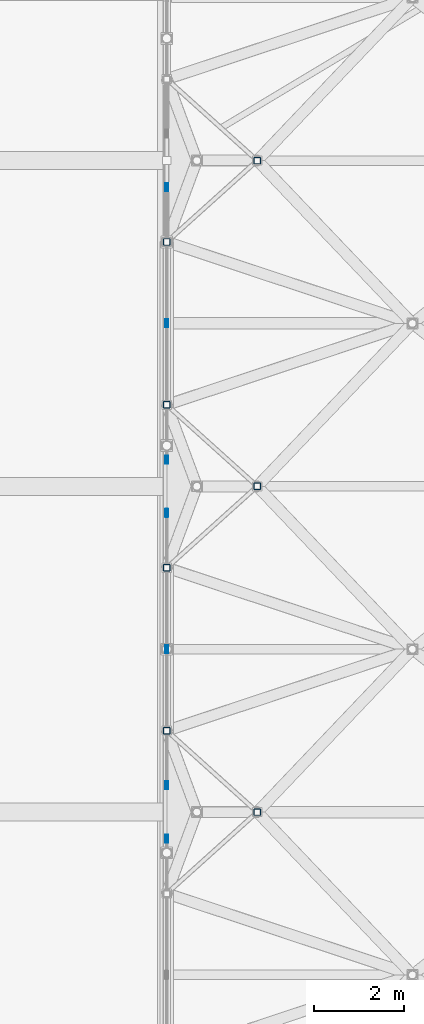
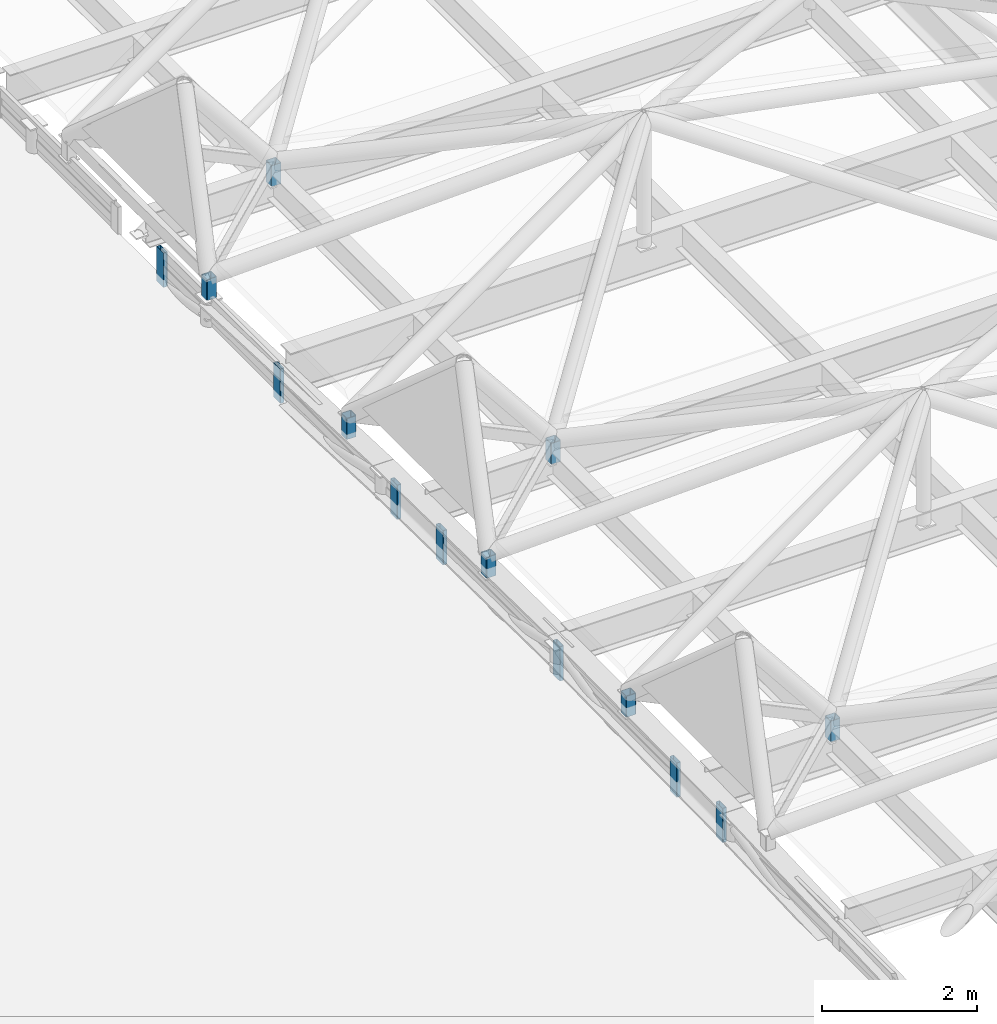
# One storey, part 197 of 239: 14 members, 3 elements without a shape of their own.
"""IFC4 building model written with IfcOpenShell, lengths in metres."""

from ifc_helpers import new_model, si_unit, direction, frame, origin, origin_2d, place, context, subcontext, project, spatial, hollow_rectangle, extrude, material, layer, layer_set, material_profile, profile_set, type_object, element, aggregate, save


model = new_model("IFC4")

# Units and contexts
model_context = context("Model", 3, precision=1e-05, world=origin(), true_north=direction((0.0, 1.0)))
body_context = subcontext(model_context, "Body", "Model", "MODEL_VIEW")
ifc_project = project(units=[si_unit("LENGTHUNIT", "METRE"), si_unit("AREAUNIT", "SQUARE_METRE"), si_unit("VOLUMEUNIT", "CUBIC_METRE"), si_unit("PLANEANGLEUNIT", "RADIAN"), si_unit("MASSUNIT", "GRAM", prefix="KILO")], contexts=[model_context])

# Site, building, storey
site_placement = place(None, origin())
site = spatial("IfcSite", under=ifc_project, at=site_placement, CompositionType="ELEMENT")
building_placement = place(site_placement, origin())
building = spatial("IfcBuilding", under=site, at=building_placement, Name="Dunvalen Ferry Terminal", CompositionType="ELEMENT")
storey_placement = place(building_placement, frame((0.0, 0.0, 9.840087890625)))
storey = spatial("IfcBuildingStorey", under=building, at=storey_placement, Name="L02", CompositionType="ELEMENT", Elevation=9.840087890625)

# Curtain wall, member
ifc_material_1 = material(Name="Anodised marine aluminium and solar-control glazing", Category="aluminium")
ifc_layer = layer(ifc_material_1, 0.219970703125, Name="Anodised marine aluminium and solar-control glazing")
ifc_layer_set = layer_set([ifc_layer], Name="Anodised marine aluminium and solar-control glazing")
curtain_wall_type = type_object("IfcCurtainWallType", Name="ENV-CW-SYS-04", PredefinedType="NOTDEFINED", material=ifc_layer_set)
curtain_wall_1_placement = place(storey_placement, origin())
curtain_wall_1 = element("IfcCurtainWall", 1, at=curtain_wall_1_placement, inside=storey, type_object=curtain_wall_type, Name="L02 Curtain Wall CW-V1W-CLR-02", PredefinedType="NOTDEFINED")
ifc_material_2 = material(Name="Anodised marine aluminium EN AW-6063 T6", Category="aluminium")
ifc_material_profile_1 = material_profile(ifc_material_2, hollow_rectangle(XDim=0.06005859375, YDim=0.179931640625, WallThickness=0.00341796875, InnerFilletRadius=0.00341796875, OuterFilletRadius=0.007080078125, at=origin_2d()), Name="Anodised marine aluminium EN AW-6063 T6")
ifc_profile_set_1 = profile_set([ifc_material_profile_1], Name="Anodised marine aluminium EN AW-6063 T6")
member_type_1 = type_object("IfcMemberType", Name="ENV-CW-MUL-2", PredefinedType="MULLION", material=ifc_profile_set_1)
member_1_placement = place(storey_placement, frame((12.0, 64.2099609375, 0.239990234375), z_axis=(0.0, 0.0, 1.0), x_axis=(-1.0, 0.0, 0.0)))
member_1 = element("IfcMember", 2, at=member_1_placement, type_object=member_type_1, Name="CW-04 mullion 3", PredefinedType="MULLION", context=body_context, shape_type="SweptSolid", body=[
    extrude(hollow_rectangle(XDim=0.06005859375, YDim=0.179931640625, WallThickness=0.00341796875, InnerFilletRadius=0.00341796875, OuterFilletRadius=0.007080078125, at=origin_2d()), origin(), (0.0, 0.0, 1.0), 0.5400390625),
])
aggregate(curtain_wall_1, [member_1])

# Curtain wall, members
curtain_wall_2_placement = place(storey_placement, origin())
curtain_wall_2 = element("IfcCurtainWall", 3, at=curtain_wall_2_placement, inside=storey, type_object=curtain_wall_type, Name="L02 Curtain Wall CW-V1W-CLR-03", PredefinedType="NOTDEFINED")
member_2_placement = place(storey_placement, frame((12.0, 65.389892578125, 0.239990234375), z_axis=(0.0, 0.0, 1.0), x_axis=(-1.0, 0.0, 0.0)))
member_2 = element("IfcMember", 4, at=member_2_placement, type_object=member_type_1, Name="CW-04 mullion 1", PredefinedType="MULLION", context=body_context, shape_type="SweptSolid", body=[
    extrude(hollow_rectangle(XDim=0.06005859375, YDim=0.179931640625, WallThickness=0.00341796875, InnerFilletRadius=0.00341796875, OuterFilletRadius=0.007080078125, at=origin_2d()), origin(), (0.0, 0.0, 1.0), 0.5400390625),
])
member_3_placement = place(storey_placement, frame((12.0, 68.39990234375, 0.239990234375), z_axis=(0.0, 0.0, 1.0), x_axis=(-1.0, 0.0, 0.0)))
member_3 = element("IfcMember", 5, at=member_3_placement, type_object=member_type_1, Name="CW-04 mullion 2", PredefinedType="MULLION", context=body_context, shape_type="SweptSolid", body=[
    extrude(hollow_rectangle(XDim=0.06005859375, YDim=0.179931640625, WallThickness=0.00341796875, InnerFilletRadius=0.00341796875, OuterFilletRadius=0.007080078125, at=origin_2d()), origin(), (0.0, 0.0, 1.0), 0.5400390625),
])
member_4_placement = place(storey_placement, frame((12.0, 71.409912109375, 0.239990234375), z_axis=(0.0, 0.0, 1.0), x_axis=(-1.0, 0.0, 0.0)))
member_4 = element("IfcMember", 6, at=member_4_placement, type_object=member_type_1, Name="CW-04 mullion 3", PredefinedType="MULLION", context=body_context, shape_type="SweptSolid", body=[
    extrude(hollow_rectangle(XDim=0.06005859375, YDim=0.179931640625, WallThickness=0.00341796875, InnerFilletRadius=0.00341796875, OuterFilletRadius=0.007080078125, at=origin_2d()), origin(), (0.0, 0.0, 1.0), 0.5400390625),
])
aggregate(curtain_wall_2, [member_2, member_3, member_4])

curtain_wall_3_placement = place(storey_placement, origin())
curtain_wall_3 = element("IfcCurtainWall", 7, at=curtain_wall_3_placement, inside=storey, type_object=curtain_wall_type, Name="L02 Curtain Wall CW-V1W-CLR-04", PredefinedType="NOTDEFINED")
member_5_placement = place(storey_placement, frame((12.0, 72.590087890625, 0.239990234375), z_axis=(0.0, 0.0, 1.0), x_axis=(-1.0, 0.0, 0.0)))
member_5 = element("IfcMember", 8, at=member_5_placement, type_object=member_type_1, Name="CW-04 mullion 1", PredefinedType="MULLION", context=body_context, shape_type="SweptSolid", body=[
    extrude(hollow_rectangle(XDim=0.06005859375, YDim=0.179931640625, WallThickness=0.00341796875, InnerFilletRadius=0.00341796875, OuterFilletRadius=0.007080078125, at=origin_2d()), origin(), (0.0, 0.0, 1.0), 0.5400390625),
])
member_6_placement = place(storey_placement, frame((12.0, 75.60009765625, 0.239990234375), z_axis=(0.0, 0.0, 1.0), x_axis=(-1.0, 0.0, 0.0)))
member_6 = element("IfcMember", 9, at=member_6_placement, type_object=member_type_1, Name="CW-04 mullion 2", PredefinedType="MULLION", context=body_context, shape_type="SweptSolid", body=[
    extrude(hollow_rectangle(XDim=0.06005859375, YDim=0.179931640625, WallThickness=0.00341796875, InnerFilletRadius=0.00341796875, OuterFilletRadius=0.007080078125, at=origin_2d()), origin(), (0.0, 0.0, 1.0), 0.5400390625),
])
member_7_placement = place(storey_placement, frame((12.0, 78.610107421875, 0.239990234375), z_axis=(0.0, 0.0, 1.0), x_axis=(-1.0, 0.0, 0.0)))
member_7 = element("IfcMember", 10, at=member_7_placement, type_object=member_type_1, Name="CW-04 mullion 3", PredefinedType="MULLION", context=body_context, shape_type="SweptSolid", body=[
    extrude(hollow_rectangle(XDim=0.06005859375, YDim=0.179931640625, WallThickness=0.00341796875, InnerFilletRadius=0.00341796875, OuterFilletRadius=0.007080078125, at=origin_2d()), origin(), (0.0, 0.0, 1.0), 0.5400390625),
])
aggregate(curtain_wall_3, [member_5, member_6, member_7])

# Members
ifc_material_3 = material(Name="Steel S355", Category="steel")
ifc_material_profile_2 = material_profile(ifc_material_3, hollow_rectangle(XDim=0.14990234375, YDim=0.14990234375, WallThickness=0.008056640625, InnerFilletRadius=0.008056640625, OuterFilletRadius=0.01611328125, at=origin_2d()), Name="Steel S355")
ifc_profile_set_2 = profile_set([ifc_material_profile_2], Name="Steel S355")
member_type_2 = type_object("IfcMemberType", Name="STR-MB-SHS150", PredefinedType="BRACE", material=ifc_profile_set_2)
for number, where, z_axis, x_axis, name in (
    (11, (14.0, 64.800048828125, 0.77001953125), (0.0, 0.0, 1.0), (1.0, 0.0, 0.0), "HEX-03 Rim Pedestal Strut 2"),
    (12, (12.0, 66.60009765625, 0.77001953125), (0.0, 0.0, 1.0), (1.0, 0.0, 0.0), "HEX-03 Rim Pedestal Strut 3"),
    (13, (12.0, 70.199951171875, 0.77001953125), (0.0, 0.0, 1.0), (1.0, 0.0, 0.0), "HEX-04 Rim Pedestal Strut 1"),
    (14, (14.0, 72.0, 0.77001953125), (0.0, 0.0, 1.0), (1.0, 0.0, 0.0), "HEX-04 Rim Pedestal Strut 2"),
    (15, (12.0, 73.800048828125, 0.77001953125), (0.0, 0.0, 1.0), (1.0, 0.0, 0.0), "HEX-04 Rim Pedestal Strut 3"),
    (16, (12.0, 77.39990234375, 0.77001953125), (0.0, 0.0, 1.0), (1.0, 0.0, 0.0), "HEX-05 Rim Pedestal Strut 1"),
    (17, (14.0, 79.199951171875, 0.77001953125), (0.0, 0.0, 1.0), (1.0, 0.0, 0.0), "HEX-05 Rim Pedestal Strut 2"),
):
    element("IfcMember", number, at=place(storey_placement, frame(where, z_axis=z_axis, x_axis=x_axis)), inside=storey, type_object=member_type_2, Name=name, PredefinedType="BRACE", context=body_context, shape_type="SweptSolid", body=[
        extrude(hollow_rectangle(XDim=0.14990234375, YDim=0.14990234375, WallThickness=0.008056640625, InnerFilletRadius=0.008056640625, OuterFilletRadius=0.01611328125, at=origin_2d()), origin(), (0.0, 0.0, 1.0), 0.329833984375),
    ])

save(model, "model.ifc")
